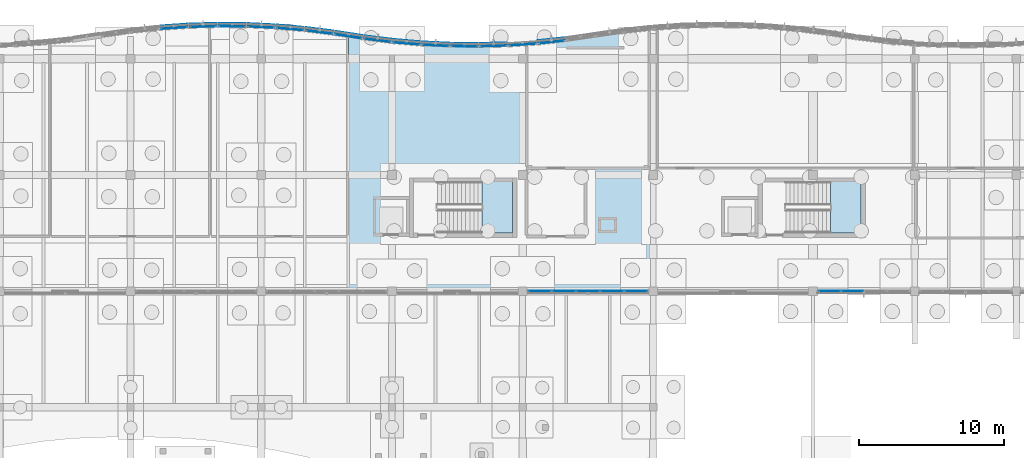
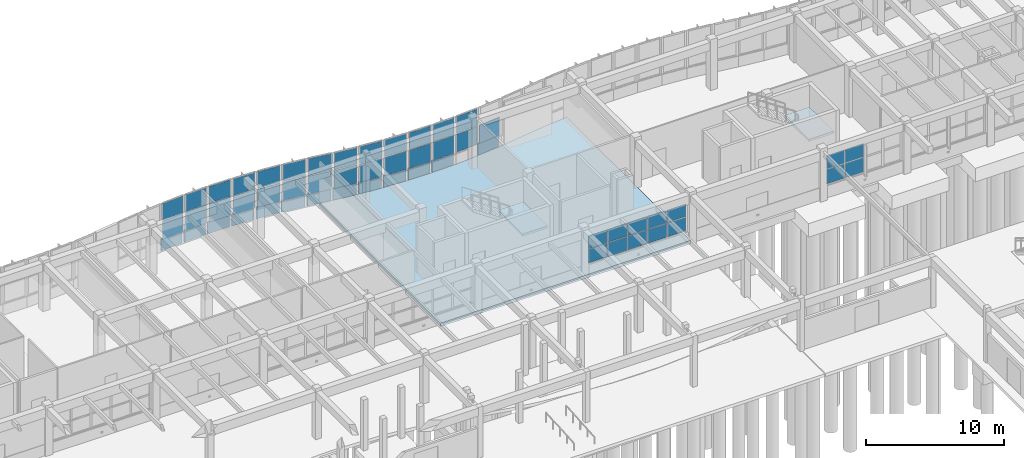
# One storey, part 56 of 99: 54 plates, 3 slabs, 18 elements without a shape of their own.
"""IFC4 building model written with IfcOpenShell, lengths in metres."""

from ifc_helpers import new_model, si_unit, direction, frame, origin, origin_2d, place, context, subcontext, project, spatial, polyline, rectangle, outline, extrude, material, layer, layer_set, type_object, element, aggregate, save


model = new_model("IFC4")

# Units and contexts
model_context = context("Model", 3, precision=1e-05, world=origin(), true_north=direction((0.0, 1.0)))
body_context = subcontext(model_context, "Body", "Model", "MODEL_VIEW")
ifc_project = project(units=[si_unit("LENGTHUNIT", "METRE"), si_unit("AREAUNIT", "SQUARE_METRE"), si_unit("VOLUMEUNIT", "CUBIC_METRE"), si_unit("PLANEANGLEUNIT", "RADIAN"), si_unit("MASSUNIT", "GRAM", prefix="KILO")], contexts=[model_context])

# Site, building, storey
site_placement = place(None, origin())
site = spatial("IfcSite", under=ifc_project, at=site_placement, CompositionType="ELEMENT")
building_placement = place(site_placement, origin())
building = spatial("IfcBuilding", under=site, at=building_placement, Name="Tonlespit Floodbar School", CompositionType="ELEMENT")
storey_placement = place(building_placement, origin())
storey = spatial("IfcBuildingStorey", under=building, at=storey_placement, Name="L00", CompositionType="ELEMENT", Elevation=0.0)

# Curtain wall, plates
ifc_material_1 = material(Name="Anodised Aluminium", Category="aluminium")
ifc_layer_1 = layer(ifc_material_1, 0.159912109375)
ifc_layer_set_1 = layer_set([ifc_layer_1], Name="Anodised Aluminium")
curtain_wall_type_1 = type_object("IfcCurtainWallType", Name="CurtainWall_1900x3300", PredefinedType="NOTDEFINED", material=ifc_layer_set_1)
curtain_wall_1_placement = place(storey_placement, origin())
curtain_wall_1 = element("IfcCurtainWall", 1, at=curtain_wall_1_placement, inside=storey, type_object=curtain_wall_type_1, Name="L00 unitised curtain wall 0021", PredefinedType="NOTDEFINED")
ifc_material_2 = material(Name="Laminated Low-E Glass", Category="glass")
ifc_layer_2 = layer(ifc_material_2, 0.028076171875)
ifc_layer_set_2 = layer_set([ifc_layer_2], Name="Laminated Low-E Glass")
plate_type_1 = type_object("IfcPlateType", Name="CW_Panel_Glaz_28", PredefinedType="CURTAIN_PANEL", material=ifc_layer_set_2)
plate_1_placement = place(storey_placement, frame((89.0, 122.1796875, 1.014892578125), z_axis=(0.0, 0.0, 1.0), x_axis=(0.998841500616, -0.048121270216, 0.0)))
plate_1 = element("IfcPlate", 2, at=plate_1_placement, type_object=plate_type_1, Name="CW-02 panel 1.1", PredefinedType="CURTAIN_PANEL", context=body_context, shape_type="SweptSolid", body=[
    extrude(rectangle(XDim=1.792236328125, YDim=0.028076171875, at=origin_2d()), origin(), (0.0, 0.0, 1.0), 1.61328125),
])
plate_2_placement = place(storey_placement, frame((89.0, 122.1796875, 2.693359375), z_axis=(0.0, 0.0, 1.0), x_axis=(0.998841500616, -0.048121270216, 0.0)))
plate_2 = element("IfcPlate", 3, at=plate_2_placement, type_object=plate_type_1, Name="CW-02 panel 1.2", PredefinedType="CURTAIN_PANEL", context=body_context, shape_type="SweptSolid", body=[
    extrude(rectangle(XDim=1.792236328125, YDim=0.028076171875, at=origin_2d()), origin(), (0.0, 0.0, 1.0), 1.481689453125),
])
aggregate(curtain_wall_1, [plate_1, plate_2])

ifc_layer_3 = layer(ifc_material_1, 0.159912109375)
ifc_layer_set_3 = layer_set([ifc_layer_3], Name="Anodised Aluminium")
curtain_wall_type_2 = type_object("IfcCurtainWallType", Name="CurtainWall_1950x3300", PredefinedType="NOTDEFINED", material=ifc_layer_set_3)
curtain_wall_2_placement = place(storey_placement, origin())
curtain_wall_2 = element("IfcCurtainWall", 4, at=curtain_wall_2_placement, inside=storey, type_object=curtain_wall_type_2, Name="L00 unitised curtain wall 0025", PredefinedType="NOTDEFINED")
plate_3_placement = place(storey_placement, frame((97.0, 121.268310546875, 1.014892578125), z_axis=(0.0, 0.0, 1.0), x_axis=(0.992155002499, -0.125013803299, 0.0)))
plate_3 = element("IfcPlate", 5, at=plate_3_placement, type_object=plate_type_1, Name="CW-01 panel 1.1", PredefinedType="CURTAIN_PANEL", context=body_context, shape_type="SweptSolid", body=[
    extrude(rectangle(XDim=1.805908203125, YDim=0.028076171875, at=origin_2d()), origin(), (0.0, 0.0, 1.0), 1.61328125),
])
plate_4_placement = place(storey_placement, frame((97.0, 121.268310546875, 2.693359375), z_axis=(0.0, 0.0, 1.0), x_axis=(0.992155002499, -0.125013803299, 0.0)))
plate_4 = element("IfcPlate", 6, at=plate_4_placement, type_object=plate_type_1, Name="CW-01 panel 1.2", PredefinedType="CURTAIN_PANEL", context=body_context, shape_type="SweptSolid", body=[
    extrude(rectangle(XDim=1.805908203125, YDim=0.028076171875, at=origin_2d()), origin(), (0.0, 0.0, 1.0), 1.481689453125),
])
aggregate(curtain_wall_2, [plate_3, plate_4])

curtain_wall_3_placement = place(storey_placement, origin())
curtain_wall_3 = element("IfcCurtainWall", 7, at=curtain_wall_3_placement, inside=storey, type_object=curtain_wall_type_1, Name="L00 unitised curtain wall 0029", PredefinedType="NOTDEFINED")
plate_5_placement = place(storey_placement, frame((105.0, 120.8818359375, 1.014892578125), z_axis=(0.0, 0.0, 1.0), x_axis=(0.999585477883, 0.028790144226, 0.0)))
plate_5 = element("IfcPlate", 8, at=plate_5_placement, type_object=plate_type_1, Name="CW-02 panel 1.1", PredefinedType="CURTAIN_PANEL", context=body_context, shape_type="SweptSolid", body=[
    extrude(rectangle(XDim=1.790771484375, YDim=0.028076171875, at=origin_2d()), origin(), (0.0, 0.0, 1.0), 1.61328125),
])
plate_6_placement = place(storey_placement, frame((105.0, 120.8818359375, 2.693359375), z_axis=(0.0, 0.0, 1.0), x_axis=(0.999585477883, 0.028790144226, 0.0)))
plate_6 = element("IfcPlate", 9, at=plate_6_placement, type_object=plate_type_1, Name="CW-02 panel 1.2", PredefinedType="CURTAIN_PANEL", context=body_context, shape_type="SweptSolid", body=[
    extrude(rectangle(XDim=1.790771484375, YDim=0.028076171875, at=origin_2d()), origin(), (0.0, 0.0, 1.0), 1.481689453125),
])
aggregate(curtain_wall_3, [plate_5, plate_6])

ifc_layer_4 = layer(ifc_material_1, 0.159912109375)
ifc_layer_set_4 = layer_set([ifc_layer_4], Name="Anodised Aluminium")
curtain_wall_type_3 = type_object("IfcCurtainWallType", Name="CurtainWall_6300x2650", PredefinedType="NOTDEFINED", material=ifc_layer_set_4)
curtain_wall_4_placement = place(storey_placement, origin())
curtain_wall_4 = element("IfcCurtainWall", 10, at=curtain_wall_4_placement, inside=storey, type_object=curtain_wall_type_3, Name="L00 unitised curtain wall 0373", PredefinedType="NOTDEFINED")
plate_7_placement = place(storey_placement, frame((129.7099609375, 104.0, 1.014892578125), z_axis=(0.0, 0.0, 1.0), x_axis=(-1.0, 0.0, 0.0)))
plate_7 = element("IfcPlate", 11, at=plate_7_placement, type_object=plate_type_1, Name="CW-59 panel 3.1", PredefinedType="CURTAIN_PANEL", context=body_context, shape_type="SweptSolid", body=[
    extrude(rectangle(XDim=1.514892578125, YDim=0.028076171875, at=origin_2d()), origin(), (0.0, 0.0, 1.0), 1.275390625),
])
plate_8_placement = place(storey_placement, frame((129.7099609375, 104.0, 2.35546875), z_axis=(0.0, 0.0, 1.0), x_axis=(-1.0, 0.0, 0.0)))
plate_8 = element("IfcPlate", 12, at=plate_8_placement, type_object=plate_type_1, Name="CW-59 panel 3.2", PredefinedType="CURTAIN_PANEL", context=body_context, shape_type="SweptSolid", body=[
    extrude(rectangle(XDim=1.514892578125, YDim=0.028076171875, at=origin_2d()), origin(), (0.0, 0.0, 1.0), 1.169677734375),
])
plate_9_placement = place(storey_placement, frame((128.146240234375, 104.0, 1.014892578125), z_axis=(0.0, 0.0, 1.0), x_axis=(-1.0, 0.0, 0.0)))
plate_9 = element("IfcPlate", 13, at=plate_9_placement, type_object=plate_type_1, Name="CW-59 panel 4.1", PredefinedType="CURTAIN_PANEL", context=body_context, shape_type="SweptSolid", body=[
    extrude(rectangle(XDim=1.482421875, YDim=0.028076171875, at=origin_2d()), origin(), (0.0, 0.0, 1.0), 1.275390625),
])
plate_10_placement = place(storey_placement, frame((128.146240234375, 104.0, 2.35546875), z_axis=(0.0, 0.0, 1.0), x_axis=(-1.0, 0.0, 0.0)))
plate_10 = element("IfcPlate", 14, at=plate_10_placement, type_object=plate_type_1, Name="CW-59 panel 4.2", PredefinedType="CURTAIN_PANEL", context=body_context, shape_type="SweptSolid", body=[
    extrude(rectangle(XDim=1.482421875, YDim=0.028076171875, at=origin_2d()), origin(), (0.0, 0.0, 1.0), 1.169677734375),
])
aggregate(curtain_wall_4, [plate_7, plate_8, plate_9, plate_10])

curtain_wall_5_placement = place(storey_placement, origin())
curtain_wall_5 = element("IfcCurtainWall", 15, at=curtain_wall_5_placement, inside=storey, type_object=curtain_wall_type_1, Name="L00 unitised curtain wall 0018", PredefinedType="NOTDEFINED")
ifc_layer_5 = layer(ifc_material_2, 0.031982421875)
ifc_layer_set_5 = layer_set([ifc_layer_5], Name="Laminated Low-E Glass")
plate_type_2 = type_object("IfcPlateType", Name="CW_Panel_Glaz_32", PredefinedType="CURTAIN_PANEL", material=ifc_layer_set_5)
plate_11_placement = place(storey_placement, frame((83.0, 122.121826171875, 1.014892578125), z_axis=(0.0, 0.0, 1.0), x_axis=(0.99773010165, 0.067339767311, 0.0)))
plate_11 = element("IfcPlate", 16, at=plate_11_placement, type_object=plate_type_2, Name="CW-02 panel 1.1", PredefinedType="CURTAIN_PANEL", context=body_context, shape_type="SweptSolid", body=[
    extrude(rectangle(XDim=1.794677734375, YDim=0.031982421875, at=origin_2d()), origin(), (0.0, 0.0, 1.0), 1.61328125),
])
plate_12_placement = place(storey_placement, frame((83.0, 122.121826171875, 2.693359375), z_axis=(0.0, 0.0, 1.0), x_axis=(0.99773010165, 0.067339767311, 0.0)))
plate_12 = element("IfcPlate", 17, at=plate_12_placement, type_object=plate_type_2, Name="CW-02 panel 1.2", PredefinedType="CURTAIN_PANEL", context=body_context, shape_type="SweptSolid", body=[
    extrude(rectangle(XDim=1.794677734375, YDim=0.031982421875, at=origin_2d()), origin(), (0.0, 0.0, 1.0), 1.481689453125),
])
aggregate(curtain_wall_5, [plate_11, plate_12])

curtain_wall_6_placement = place(storey_placement, origin())
curtain_wall_6 = element("IfcCurtainWall", 18, at=curtain_wall_6_placement, inside=storey, type_object=curtain_wall_type_2, Name="L00 unitised curtain wall 0022", PredefinedType="NOTDEFINED")
plate_13_placement = place(storey_placement, frame((91.0, 122.044677734375, 1.014892578125), z_axis=(0.0, 0.0, 1.0), x_axis=(0.996249148412, -0.086531117454, 0.0)))
plate_13 = element("IfcPlate", 19, at=plate_13_placement, type_object=plate_type_2, Name="CW-01 panel 1.1", PredefinedType="CURTAIN_PANEL", context=body_context, shape_type="SweptSolid", body=[
    extrude(rectangle(XDim=1.797607421875, YDim=0.031982421875, at=origin_2d()), origin(), (0.0, 0.0, 1.0), 1.61328125),
])
plate_14_placement = place(storey_placement, frame((91.0, 122.044677734375, 2.693359375), z_axis=(0.0, 0.0, 1.0), x_axis=(0.996249148412, -0.086531117454, 0.0)))
plate_14 = element("IfcPlate", 20, at=plate_14_placement, type_object=plate_type_2, Name="CW-01 panel 1.2", PredefinedType="CURTAIN_PANEL", context=body_context, shape_type="SweptSolid", body=[
    extrude(rectangle(XDim=1.797607421875, YDim=0.031982421875, at=origin_2d()), origin(), (0.0, 0.0, 1.0), 1.481689453125),
])
aggregate(curtain_wall_6, [plate_13, plate_14])

curtain_wall_7_placement = place(storey_placement, origin())
curtain_wall_7 = element("IfcCurtainWall", 21, at=curtain_wall_7_placement, inside=storey, type_object=curtain_wall_type_2, Name="L00 unitised curtain wall 0026", PredefinedType="NOTDEFINED")
plate_15_placement = place(storey_placement, frame((99.0, 121.055419921875, 1.014892578125), z_axis=(0.0, 0.0, 1.0), x_axis=(0.996249148412, -0.086531117454, 0.0)))
plate_15 = element("IfcPlate", 22, at=plate_15_placement, type_object=plate_type_2, Name="CW-01 panel 1.1", PredefinedType="CURTAIN_PANEL", context=body_context, shape_type="SweptSolid", body=[
    extrude(rectangle(XDim=1.797607421875, YDim=0.031982421875, at=origin_2d()), origin(), (0.0, 0.0, 1.0), 1.61328125),
])
plate_16_placement = place(storey_placement, frame((99.0, 121.055419921875, 2.693359375), z_axis=(0.0, 0.0, 1.0), x_axis=(0.996249148412, -0.086531117454, 0.0)))
plate_16 = element("IfcPlate", 23, at=plate_16_placement, type_object=plate_type_2, Name="CW-01 panel 1.2", PredefinedType="CURTAIN_PANEL", context=body_context, shape_type="SweptSolid", body=[
    extrude(rectangle(XDim=1.797607421875, YDim=0.031982421875, at=origin_2d()), origin(), (0.0, 0.0, 1.0), 1.481689453125),
])
aggregate(curtain_wall_7, [plate_15, plate_16])

curtain_wall_8_placement = place(storey_placement, origin())
curtain_wall_8 = element("IfcCurtainWall", 24, at=curtain_wall_8_placement, inside=storey, type_object=curtain_wall_type_1, Name="L00 unitised curtain wall 0030", PredefinedType="NOTDEFINED")
plate_17_placement = place(storey_placement, frame((107.0, 120.978271484375, 1.014892578125), z_axis=(0.0, 0.0, 1.0), x_axis=(0.99773010165, 0.067339767311, 0.0)))
plate_17 = element("IfcPlate", 25, at=plate_17_placement, type_object=plate_type_2, Name="CW-02 panel 1.1", PredefinedType="CURTAIN_PANEL", context=body_context, shape_type="SweptSolid", body=[
    extrude(rectangle(XDim=1.794677734375, YDim=0.031982421875, at=origin_2d()), origin(), (0.0, 0.0, 1.0), 1.61328125),
])
plate_18_placement = place(storey_placement, frame((107.0, 120.978271484375, 2.693359375), z_axis=(0.0, 0.0, 1.0), x_axis=(0.99773010165, 0.067339767311, 0.0)))
plate_18 = element("IfcPlate", 26, at=plate_18_placement, type_object=plate_type_2, Name="CW-02 panel 1.2", PredefinedType="CURTAIN_PANEL", context=body_context, shape_type="SweptSolid", body=[
    extrude(rectangle(XDim=1.794677734375, YDim=0.031982421875, at=origin_2d()), origin(), (0.0, 0.0, 1.0), 1.481689453125),
])
aggregate(curtain_wall_8, [plate_17, plate_18])

curtain_wall_9_placement = place(storey_placement, origin())
curtain_wall_9 = element("IfcCurtainWall", 27, at=curtain_wall_9_placement, inside=storey, type_object=curtain_wall_type_1, Name="L00 unitised curtain wall 0019", PredefinedType="NOTDEFINED")
ifc_layer_6 = layer(ifc_material_2, 0.035888671875)
ifc_layer_set_6 = layer_set([ifc_layer_6], Name="Laminated Low-E Glass")
plate_type_3 = type_object("IfcPlateType", Name="CW_Panel_Glaz_36", PredefinedType="CURTAIN_PANEL", material=ifc_layer_set_6)
plate_19_placement = place(storey_placement, frame((85.0, 122.21826171875, 1.014892578125), z_axis=(0.0, 0.0, 1.0), x_axis=(0.999585477883, 0.028790144226, 0.0)))
plate_19 = element("IfcPlate", 28, at=plate_19_placement, type_object=plate_type_3, Name="CW-02 panel 1.1", PredefinedType="CURTAIN_PANEL", context=body_context, shape_type="SweptSolid", body=[
    extrude(rectangle(XDim=1.790771484375, YDim=0.035888671875, at=origin_2d()), origin(), (0.0, 0.0, 1.0), 1.61328125),
])
plate_20_placement = place(storey_placement, frame((85.0, 122.21826171875, 2.693359375), z_axis=(0.0, 0.0, 1.0), x_axis=(0.999585477883, 0.028790144226, 0.0)))
plate_20 = element("IfcPlate", 29, at=plate_20_placement, type_object=plate_type_3, Name="CW-02 panel 1.2", PredefinedType="CURTAIN_PANEL", context=body_context, shape_type="SweptSolid", body=[
    extrude(rectangle(XDim=1.790771484375, YDim=0.035888671875, at=origin_2d()), origin(), (0.0, 0.0, 1.0), 1.481689453125),
])
aggregate(curtain_wall_9, [plate_19, plate_20])

curtain_wall_10_placement = place(storey_placement, origin())
curtain_wall_10 = element("IfcCurtainWall", 30, at=curtain_wall_10_placement, inside=storey, type_object=curtain_wall_type_2, Name="L00 unitised curtain wall 0023", PredefinedType="NOTDEFINED")
plate_21_placement = place(storey_placement, frame((93.0, 121.831787109375, 1.014892578125), z_axis=(0.0, 0.0, 1.0), x_axis=(0.992155002499, -0.125013803299, 0.0)))
plate_21 = element("IfcPlate", 31, at=plate_21_placement, type_object=plate_type_3, Name="CW-01 panel 1.1", PredefinedType="CURTAIN_PANEL", context=body_context, shape_type="SweptSolid", body=[
    extrude(rectangle(XDim=1.805908203125, YDim=0.035888671875, at=origin_2d()), origin(), (0.0, 0.0, 1.0), 1.61328125),
])
plate_22_placement = place(storey_placement, frame((93.0, 121.831787109375, 2.693359375), z_axis=(0.0, 0.0, 1.0), x_axis=(0.992155002499, -0.125013803299, 0.0)))
plate_22 = element("IfcPlate", 32, at=plate_22_placement, type_object=plate_type_3, Name="CW-01 panel 1.2", PredefinedType="CURTAIN_PANEL", context=body_context, shape_type="SweptSolid", body=[
    extrude(rectangle(XDim=1.805908203125, YDim=0.035888671875, at=origin_2d()), origin(), (0.0, 0.0, 1.0), 1.481689453125),
])
aggregate(curtain_wall_10, [plate_21, plate_22])

curtain_wall_11_placement = place(storey_placement, origin())
curtain_wall_11 = element("IfcCurtainWall", 33, at=curtain_wall_11_placement, inside=storey, type_object=curtain_wall_type_1, Name="L00 unitised curtain wall 0027", PredefinedType="NOTDEFINED")
plate_23_placement = place(storey_placement, frame((101.0, 120.92041015625, 1.014892578125), z_axis=(0.0, 0.0, 1.0), x_axis=(0.998841500616, -0.048121270216, 0.0)))
plate_23 = element("IfcPlate", 34, at=plate_23_placement, type_object=plate_type_3, Name="CW-02 panel 1.1", PredefinedType="CURTAIN_PANEL", context=body_context, shape_type="SweptSolid", body=[
    extrude(rectangle(XDim=1.792236328125, YDim=0.035888671875, at=origin_2d()), origin(), (0.0, 0.0, 1.0), 1.61328125),
])
plate_24_placement = place(storey_placement, frame((101.0, 120.92041015625, 2.693359375), z_axis=(0.0, 0.0, 1.0), x_axis=(0.998841500616, -0.048121270216, 0.0)))
plate_24 = element("IfcPlate", 35, at=plate_24_placement, type_object=plate_type_3, Name="CW-02 panel 1.2", PredefinedType="CURTAIN_PANEL", context=body_context, shape_type="SweptSolid", body=[
    extrude(rectangle(XDim=1.792236328125, YDim=0.035888671875, at=origin_2d()), origin(), (0.0, 0.0, 1.0), 1.481689453125),
])
aggregate(curtain_wall_11, [plate_23, plate_24])

# Curtain wall, plate
curtain_wall_12_placement = place(storey_placement, origin())
curtain_wall_12 = element("IfcCurtainWall", 36, at=curtain_wall_12_placement, inside=storey, type_object=curtain_wall_type_2, Name="L00 unitised curtain wall 0031", PredefinedType="NOTDEFINED")
plate_25_placement = place(storey_placement, frame((109.0, 121.152099609375, 1.014892578125), z_axis=(0.0, 0.0, 1.0), x_axis=(0.994388797288, 0.105787143968, 0.0)))
plate_25 = element("IfcPlate", 37, at=plate_25_placement, type_object=plate_type_3, Name="CW-01 panel 1.1", PredefinedType="CURTAIN_PANEL", context=body_context, shape_type="SweptSolid", body=[
    extrude(rectangle(XDim=1.80126953125, YDim=0.035888671875, at=origin_2d()), origin(), (0.0, 0.0, 1.0), 1.61328125),
])
aggregate(curtain_wall_12, [plate_25])

# Curtain wall, plates
ifc_layer_7 = layer(ifc_material_1, 0.159912109375)
ifc_layer_set_7 = layer_set([ifc_layer_7], Name="Anodised Aluminium")
curtain_wall_type_4 = type_object("IfcCurtainWallType", Name="CurtainWall_8300x2500", PredefinedType="NOTDEFINED", material=ifc_layer_set_7)
curtain_wall_13_placement = place(storey_placement, origin())
curtain_wall_13 = element("IfcCurtainWall", 38, at=curtain_wall_13_placement, inside=storey, type_object=curtain_wall_type_4, Name="L00 unitised curtain wall 0035", PredefinedType="NOTDEFINED")
plate_26_placement = place(storey_placement, frame((114.811767578125, 104.0, 1.01513671875), z_axis=(0.0, 0.0, 1.0), x_axis=(-1.0, 0.0, 0.0)))
plate_26 = element("IfcPlate", 39, at=plate_26_placement, type_object=plate_type_3, Name="CW-03 panel 1.1", PredefinedType="CURTAIN_PANEL", context=body_context, shape_type="SweptSolid", body=[
    extrude(rectangle(XDim=1.56640625, YDim=0.035888671875, at=origin_2d()), origin(), (0.0, 0.0, 1.0), 1.197265625),
])
plate_27_placement = place(storey_placement, frame((114.811767578125, 104.0, 2.27734375), z_axis=(0.0, 0.0, 1.0), x_axis=(-1.0, 0.0, 0.0)))
plate_27 = element("IfcPlate", 40, at=plate_27_placement, type_object=plate_type_3, Name="CW-03 panel 1.2", PredefinedType="CURTAIN_PANEL", context=body_context, shape_type="SweptSolid", body=[
    extrude(rectangle(XDim=1.56640625, YDim=0.035888671875, at=origin_2d()), origin(), (0.0, 0.0, 1.0), 1.09765625),
])
plate_28_placement = place(storey_placement, frame((113.1640625, 104.0, 1.01513671875), z_axis=(0.0, 0.0, 1.0), x_axis=(-1.0, 0.0, 0.0)))
plate_28 = element("IfcPlate", 41, at=plate_28_placement, type_object=plate_type_3, Name="CW-03 panel 2.1", PredefinedType="CURTAIN_PANEL", context=body_context, shape_type="SweptSolid", body=[
    extrude(rectangle(XDim=1.59912109375, YDim=0.035888671875, at=origin_2d()), origin(), (0.0, 0.0, 1.0), 1.197265625),
])
plate_29_placement = place(storey_placement, frame((113.1640625, 104.0, 2.27734375), z_axis=(0.0, 0.0, 1.0), x_axis=(-1.0, 0.0, 0.0)))
plate_29 = element("IfcPlate", 42, at=plate_29_placement, type_object=plate_type_3, Name="CW-03 panel 2.2", PredefinedType="CURTAIN_PANEL", context=body_context, shape_type="SweptSolid", body=[
    extrude(rectangle(XDim=1.59912109375, YDim=0.035888671875, at=origin_2d()), origin(), (0.0, 0.0, 1.0), 1.09765625),
])
plate_30_placement = place(storey_placement, frame((111.5, 104.0, 1.01513671875), z_axis=(0.0, 0.0, 1.0), x_axis=(-1.0, 0.0, 0.0)))
plate_30 = element("IfcPlate", 43, at=plate_30_placement, type_object=plate_type_3, Name="CW-03 panel 3.1", PredefinedType="CURTAIN_PANEL", context=body_context, shape_type="SweptSolid", body=[
    extrude(rectangle(XDim=1.59912109375, YDim=0.035888671875, at=origin_2d()), origin(), (0.0, 0.0, 1.0), 1.197265625),
])
plate_31_placement = place(storey_placement, frame((111.5, 104.0, 2.27734375), z_axis=(0.0, 0.0, 1.0), x_axis=(-1.0, 0.0, 0.0)))
plate_31 = element("IfcPlate", 44, at=plate_31_placement, type_object=plate_type_3, Name="CW-03 panel 3.2", PredefinedType="CURTAIN_PANEL", context=body_context, shape_type="SweptSolid", body=[
    extrude(rectangle(XDim=1.59912109375, YDim=0.035888671875, at=origin_2d()), origin(), (0.0, 0.0, 1.0), 1.09765625),
])
plate_32_placement = place(storey_placement, frame((109.8359375, 104.0, 1.01513671875), z_axis=(0.0, 0.0, 1.0), x_axis=(-1.0, 0.0, 0.0)))
plate_32 = element("IfcPlate", 45, at=plate_32_placement, type_object=plate_type_3, Name="CW-03 panel 4.1", PredefinedType="CURTAIN_PANEL", context=body_context, shape_type="SweptSolid", body=[
    extrude(rectangle(XDim=1.59912109375, YDim=0.035888671875, at=origin_2d()), origin(), (0.0, 0.0, 1.0), 1.197265625),
])
plate_33_placement = place(storey_placement, frame((109.8359375, 104.0, 2.27734375), z_axis=(0.0, 0.0, 1.0), x_axis=(-1.0, 0.0, 0.0)))
plate_33 = element("IfcPlate", 46, at=plate_33_placement, type_object=plate_type_3, Name="CW-03 panel 4.2", PredefinedType="CURTAIN_PANEL", context=body_context, shape_type="SweptSolid", body=[
    extrude(rectangle(XDim=1.59912109375, YDim=0.035888671875, at=origin_2d()), origin(), (0.0, 0.0, 1.0), 1.09765625),
])
plate_34_placement = place(storey_placement, frame((108.188232421875, 104.0, 1.01513671875), z_axis=(0.0, 0.0, 1.0), x_axis=(-1.0, 0.0, 0.0)))
plate_34 = element("IfcPlate", 47, at=plate_34_placement, type_object=plate_type_3, Name="CW-03 panel 5.1", PredefinedType="CURTAIN_PANEL", context=body_context, shape_type="SweptSolid", body=[
    extrude(rectangle(XDim=1.56640625, YDim=0.035888671875, at=origin_2d()), origin(), (0.0, 0.0, 1.0), 1.197265625),
])
plate_35_placement = place(storey_placement, frame((108.188232421875, 104.0, 2.27734375), z_axis=(0.0, 0.0, 1.0), x_axis=(-1.0, 0.0, 0.0)))
plate_35 = element("IfcPlate", 48, at=plate_35_placement, type_object=plate_type_3, Name="CW-03 panel 5.2", PredefinedType="CURTAIN_PANEL", context=body_context, shape_type="SweptSolid", body=[
    extrude(rectangle(XDim=1.56640625, YDim=0.035888671875, at=origin_2d()), origin(), (0.0, 0.0, 1.0), 1.09765625),
])
aggregate(curtain_wall_13, [plate_26, plate_27, plate_28, plate_29, plate_30, plate_31, plate_32, plate_33, plate_34, plate_35])

curtain_wall_14_placement = place(storey_placement, origin())
curtain_wall_14 = element("IfcCurtainWall", 49, at=curtain_wall_14_placement, inside=storey, type_object=curtain_wall_type_1, Name="L00 unitised curtain wall 0020", PredefinedType="NOTDEFINED")
ifc_layer_8 = layer(ifc_material_2, 0.0419921875)
ifc_layer_set_8 = layer_set([ifc_layer_8], Name="Laminated Low-E Glass")
plate_type_4 = type_object("IfcPlateType", Name="CW_Panel_Glaz_42", PredefinedType="CURTAIN_PANEL", material=ifc_layer_set_8)
plate_36_placement = place(storey_placement, frame((87.0, 122.2373046875, 1.014892578125), z_axis=(0.0, 0.0, 1.0), x_axis=(0.999954083024, -0.009582893292, 0.0)))
plate_36 = element("IfcPlate", 50, at=plate_36_placement, type_object=plate_type_4, Name="CW-02 panel 1.1", PredefinedType="CURTAIN_PANEL", context=body_context, shape_type="SweptSolid", body=[
    extrude(rectangle(XDim=1.7900390625, YDim=0.0419921875, at=origin_2d()), origin(), (0.0, 0.0, 1.0), 1.61328125),
])
plate_37_placement = place(storey_placement, frame((87.0, 122.2373046875, 2.693359375), z_axis=(0.0, 0.0, 1.0), x_axis=(0.999954083024, -0.009582893292, 0.0)))
plate_37 = element("IfcPlate", 51, at=plate_37_placement, type_object=plate_type_4, Name="CW-02 panel 1.2", PredefinedType="CURTAIN_PANEL", context=body_context, shape_type="SweptSolid", body=[
    extrude(rectangle(XDim=1.7900390625, YDim=0.0419921875, at=origin_2d()), origin(), (0.0, 0.0, 1.0), 1.481689453125),
])
aggregate(curtain_wall_14, [plate_36, plate_37])

curtain_wall_15_placement = place(storey_placement, origin())
curtain_wall_15 = element("IfcCurtainWall", 52, at=curtain_wall_15_placement, inside=storey, type_object=curtain_wall_type_2, Name="L00 unitised curtain wall 0024", PredefinedType="NOTDEFINED")
plate_38_placement = place(storey_placement, frame((95.0, 121.550048828125, 1.014892578125), z_axis=(0.0, 0.0, 1.0), x_axis=(0.988102576465, -0.153796288585, 0.0)))
plate_38 = element("IfcPlate", 53, at=plate_38_placement, type_object=plate_type_4, Name="CW-01 panel 1.1", PredefinedType="CURTAIN_PANEL", context=body_context, shape_type="SweptSolid", body=[
    extrude(rectangle(XDim=1.814208984375, YDim=0.0419921875, at=origin_2d()), origin(), (0.0, 0.0, 1.0), 1.61328125),
])
plate_39_placement = place(storey_placement, frame((95.0, 121.550048828125, 2.693359375), z_axis=(0.0, 0.0, 1.0), x_axis=(0.988102576465, -0.153796288585, 0.0)))
plate_39 = element("IfcPlate", 54, at=plate_39_placement, type_object=plate_type_4, Name="CW-01 panel 1.2", PredefinedType="CURTAIN_PANEL", context=body_context, shape_type="SweptSolid", body=[
    extrude(rectangle(XDim=1.814208984375, YDim=0.0419921875, at=origin_2d()), origin(), (0.0, 0.0, 1.0), 1.481689453125),
])
aggregate(curtain_wall_15, [plate_38, plate_39])

curtain_wall_16_placement = place(storey_placement, origin())
curtain_wall_16 = element("IfcCurtainWall", 55, at=curtain_wall_16_placement, inside=storey, type_object=curtain_wall_type_1, Name="L00 unitised curtain wall 0028", PredefinedType="NOTDEFINED")
plate_40_placement = place(storey_placement, frame((103.0, 120.862548828125, 1.014892578125), z_axis=(0.0, 0.0, 1.0), x_axis=(0.999954083024, -0.009582893292, 0.0)))
plate_40 = element("IfcPlate", 56, at=plate_40_placement, type_object=plate_type_4, Name="CW-02 panel 1.1", PredefinedType="CURTAIN_PANEL", context=body_context, shape_type="SweptSolid", body=[
    extrude(rectangle(XDim=1.7900390625, YDim=0.0419921875, at=origin_2d()), origin(), (0.0, 0.0, 1.0), 1.61328125),
])
plate_41_placement = place(storey_placement, frame((103.0, 120.862548828125, 2.693359375), z_axis=(0.0, 0.0, 1.0), x_axis=(0.999954083024, -0.009582893292, 0.0)))
plate_41 = element("IfcPlate", 57, at=plate_41_placement, type_object=plate_type_4, Name="CW-02 panel 1.2", PredefinedType="CURTAIN_PANEL", context=body_context, shape_type="SweptSolid", body=[
    extrude(rectangle(XDim=1.7900390625, YDim=0.0419921875, at=origin_2d()), origin(), (0.0, 0.0, 1.0), 1.481689453125),
])
aggregate(curtain_wall_16, [plate_40, plate_41])

# Plates
ifc_material_3 = material(Name="White Architectural Aluminium", Category="aluminium")
ifc_layer_9 = layer(ifc_material_3, 0.06494140625)
ifc_layer_set_9 = layer_set([ifc_layer_9], Name="White Architectural Aluminium")
plate_type_5 = type_object("IfcPlateType", Name="FacadeRibbon_White_65", PredefinedType="SHEET", material=ifc_layer_set_9)
plate_42_placement = place(storey_placement, frame((82.98779296875, 122.303466796875, -0.1201171875), z_axis=(0.0, 0.0, 1.0), x_axis=(0.997729639049, 0.067346621018, 0.0)))
element("IfcPlate", 58, at=plate_42_placement, inside=storey, type_object=plate_type_5, Name="L00 flowing white street spandrel ribbon 0020", PredefinedType="SHEET", context=body_context, shape_type="SweptSolid", body=[
    extrude(rectangle(XDim=1.844482421875, YDim=0.06494140625, at=origin_2d()), origin(), (0.0, 0.0, 1.0), 1.070068359375),
])
plate_43_placement = place(storey_placement, frame((84.994873046875, 122.400146484375, -0.1201171875), z_axis=(0.0, 0.0, 1.0), x_axis=(0.999584110869, 0.02883756748, 0.0)))
element("IfcPlate", 59, at=plate_43_placement, inside=storey, type_object=plate_type_5, Name="L00 flowing white street spandrel ribbon 0021", PredefinedType="SHEET", context=body_context, shape_type="SweptSolid", body=[
    extrude(rectangle(XDim=1.8408203125, YDim=0.06494140625, at=origin_2d()), origin(), (0.0, 0.0, 1.0), 1.070068359375),
])
plate_44_placement = place(storey_placement, frame((87.001708984375, 122.41943359375, -0.1201171875), z_axis=(0.0, 0.0, 1.0), x_axis=(0.999953926969, -0.009599163462, 0.0)))
element("IfcPlate", 60, at=plate_44_placement, inside=storey, type_object=plate_type_5, Name="L00 flowing white street spandrel ribbon 0022", PredefinedType="SHEET", context=body_context, shape_type="SweptSolid", body=[
    extrude(rectangle(XDim=1.840087890625, YDim=0.06494140625, at=origin_2d()), origin(), (0.0, 0.0, 1.0), 1.070068359375),
])
plate_45_placement = place(storey_placement, frame((89.0087890625, 122.361328125, -0.1201171875), z_axis=(0.0, 0.0, 1.0), x_axis=(0.998842769234, -0.048094930587, 0.0)))
element("IfcPlate", 61, at=plate_45_placement, inside=storey, type_object=plate_type_5, Name="L00 flowing white street spandrel ribbon 0023", PredefinedType="SHEET", context=body_context, shape_type="SweptSolid", body=[
    extrude(rectangle(XDim=1.84228515625, YDim=0.06494140625, at=origin_2d()), origin(), (0.0, 0.0, 1.0), 1.070068359375),
])
plate_46_placement = place(storey_placement, frame((91.015869140625, 122.225830078125, -0.1201171875), z_axis=(0.0, 0.0, 1.0), x_axis=(0.996245486492, -0.086573267488, 0.0)))
element("IfcPlate", 62, at=plate_46_placement, inside=storey, type_object=plate_type_5, Name="L00 flowing white street spandrel ribbon 0024", PredefinedType="SHEET", context=body_context, shape_type="SweptSolid", body=[
    extrude(rectangle(XDim=1.847412109375, YDim=0.06494140625, at=origin_2d()), origin(), (0.0, 0.0, 1.0), 1.070068359375),
])
plate_47_placement = place(storey_placement, frame((93.022705078125, 122.01220703125, -0.1201171875), z_axis=(0.0, 0.0, 1.0), x_axis=(0.99215533612, -0.125011155539, 0.0)))
element("IfcPlate", 63, at=plate_47_placement, inside=storey, type_object=plate_type_5, Name="L00 flowing white street spandrel ribbon 0025", PredefinedType="SHEET", context=body_context, shape_type="SweptSolid", body=[
    extrude(rectangle(XDim=1.855712890625, YDim=0.06494140625, at=origin_2d()), origin(), (0.0, 0.0, 1.0), 1.070068359375),
])
plate_48_placement = place(storey_placement, frame((95.028076171875, 121.729736328125, -0.1201171875), z_axis=(0.0, 0.0, 1.0), x_axis=(0.988094768361, -0.153846445322, 0.0)))
element("IfcPlate", 64, at=plate_48_placement, inside=storey, type_object=plate_type_5, Name="L00 flowing white street spandrel ribbon 0026", PredefinedType="SHEET", context=body_context, shape_type="SweptSolid", body=[
    extrude(rectangle(XDim=1.864013671875, YDim=0.06494140625, at=origin_2d()), origin(), (0.0, 0.0, 1.0), 1.070068359375),
])
plate_49_placement = place(storey_placement, frame((97.022705078125, 121.448974609375, -0.1201171875), z_axis=(0.0, 0.0, 1.0), x_axis=(0.99215533612, -0.125011155539, 0.0)))
element("IfcPlate", 65, at=plate_49_placement, inside=storey, type_object=plate_type_5, Name="L00 flowing white street spandrel ribbon 0027", PredefinedType="SHEET", context=body_context, shape_type="SweptSolid", body=[
    extrude(rectangle(XDim=1.855712890625, YDim=0.06494140625, at=origin_2d()), origin(), (0.0, 0.0, 1.0), 1.070068359375),
])
plate_50_placement = place(storey_placement, frame((99.015869140625, 121.23681640625, -0.1201171875), z_axis=(0.0, 0.0, 1.0), x_axis=(0.996245486492, -0.086573267488, 0.0)))
element("IfcPlate", 66, at=plate_50_placement, inside=storey, type_object=plate_type_5, Name="L00 flowing white street spandrel ribbon 0028", PredefinedType="SHEET", context=body_context, shape_type="SweptSolid", body=[
    extrude(rectangle(XDim=1.847412109375, YDim=0.06494140625, at=origin_2d()), origin(), (0.0, 0.0, 1.0), 1.070068359375),
])
plate_51_placement = place(storey_placement, frame((101.0087890625, 121.10205078125, -0.1201171875), z_axis=(0.0, 0.0, 1.0), x_axis=(0.998842769234, -0.048094930587, 0.0)))
element("IfcPlate", 67, at=plate_51_placement, inside=storey, type_object=plate_type_5, Name="L00 flowing white street spandrel ribbon 0029", PredefinedType="SHEET", context=body_context, shape_type="SweptSolid", body=[
    extrude(rectangle(XDim=1.84228515625, YDim=0.06494140625, at=origin_2d()), origin(), (0.0, 0.0, 1.0), 1.070068359375),
])
plate_52_placement = place(storey_placement, frame((103.001708984375, 121.044677734375, -0.1201171875), z_axis=(0.0, 0.0, 1.0), x_axis=(0.999953926969, -0.009599163462, 0.0)))
element("IfcPlate", 68, at=plate_52_placement, inside=storey, type_object=plate_type_5, Name="L00 flowing white street spandrel ribbon 0030", PredefinedType="SHEET", context=body_context, shape_type="SweptSolid", body=[
    extrude(rectangle(XDim=1.840087890625, YDim=0.06494140625, at=origin_2d()), origin(), (0.0, 0.0, 1.0), 1.070068359375),
])
plate_53_placement = place(storey_placement, frame((104.994873046875, 121.063720703125, -0.1201171875), z_axis=(0.0, 0.0, 1.0), x_axis=(0.999584110869, 0.02883756748, 0.0)))
element("IfcPlate", 69, at=plate_53_placement, inside=storey, type_object=plate_type_5, Name="L00 flowing white street spandrel ribbon 0031", PredefinedType="SHEET", context=body_context, shape_type="SweptSolid", body=[
    extrude(rectangle(XDim=1.8408203125, YDim=0.06494140625, at=origin_2d()), origin(), (0.0, 0.0, 1.0), 1.070068359375),
])
plate_54_placement = place(storey_placement, frame((108.980712890625, 121.3330078125, -0.1201171875), z_axis=(0.0, 0.0, 1.0), x_axis=(0.99439234017, 0.105753835922, 0.0)))
element("IfcPlate", 70, at=plate_54_placement, inside=storey, type_object=plate_type_5, Name="L00 flowing white street spandrel ribbon 0033", PredefinedType="SHEET", context=body_context, shape_type="SweptSolid", body=[
    extrude(rectangle(XDim=1.851318359375, YDim=0.06494140625, at=origin_2d()), origin(), (0.0, 0.0, 1.0), 1.070068359375),
])

# Stair, slab
ifc_material_4 = material(Name="Concrete C40/50", Category="concrete")
stair_type = type_object("IfcStairType", Name="Stair_Core_L00", PredefinedType="HALF_TURN_STAIR", material=ifc_material_4)
stair_1_placement = place(storey_placement, origin())
stair_1 = element("IfcStair", 71, at=stair_1_placement, inside=storey, type_object=stair_type, Name="L00 Core C2 escape stair", PredefinedType="HALF_TURN_STAIR")
ifc_layer_10 = layer(ifc_material_4, 0.199951171875)
ifc_layer_set_10 = layer_set([ifc_layer_10], Name="Concrete C40/50")
slab_type_1 = type_object("IfcSlabType", Name="Landing_Core_RC200", PredefinedType="LANDING", material=ifc_layer_set_10)
slab_1_placement = place(storey_placement, frame((0.0, 0.0, 2.050048828125)))
slab_1 = element("IfcSlab", 72, at=slab_1_placement, type_object=slab_type_1, Name="ST-C2 landing 1", PredefinedType="LANDING", context=body_context, shape_type="SweptSolid", body=[
    extrude(outline(polyline([(104.199951171875, 108.0), (106.300048828125, 108.0), (106.300048828125, 111.5400390625), (104.199951171875, 111.5400390625), (104.199951171875, 108.0)])), origin(), (0.0, 0.0, 1.0), 0.199951171875),
])
aggregate(stair_1, [slab_1])

stair_2_placement = place(storey_placement, origin())
stair_2 = element("IfcStair", 73, at=stair_2_placement, inside=storey, type_object=stair_type, Name="L00 Core C4 escape stair", PredefinedType="HALF_TURN_STAIR")
slab_2_placement = place(storey_placement, frame((0.0, 0.0, 2.050048828125)))
slab_2 = element("IfcSlab", 74, at=slab_2_placement, type_object=slab_type_1, Name="ST-C4 landing 1", PredefinedType="LANDING", context=body_context, shape_type="SweptSolid", body=[
    extrude(outline(polyline([(128.199951171875, 108.0), (130.300048828125, 108.0), (130.300048828125, 111.5400390625), (128.199951171875, 111.5400390625), (128.199951171875, 108.0)])), origin(), (0.0, 0.0, 1.0), 0.199951171875),
])
aggregate(stair_2, [slab_2])

# Slab
ifc_layer_11 = layer(ifc_material_4, 0.300048828125)
ifc_layer_set_11 = layer_set([ifc_layer_11], Name="Concrete C40/50")
slab_type_2 = type_object("IfcSlabType", Name="Slab_Base_RC_200", PredefinedType="BASESLAB", material=ifc_layer_set_11)
slab_3_placement = place(storey_placement, frame((0.0, 0.0, -0.300048828125)))
element("IfcSlab", 75, at=slab_3_placement, inside=storey, type_object=slab_type_2, Name="L00 V1 L00 east curved street slab", PredefinedType="BASESLAB", context=body_context, shape_type="SweptSolid", body=[
    extrude(outline(polyline([(95.0, 121.550048828125), (97.10009765625, 121.245849609375), (99.199951171875, 121.02880859375), (101.300048828125, 120.897216796875), (103.39990234375, 120.8505859375), (105.5, 120.88916015625), (107.60009765625, 121.012451171875), (109.699951171875, 121.221435546875), (113.89990234375, 121.828857421875), (116.0, 122.05419921875), (116.0, 104.0), (95.0, 104.0), (95.0, 121.550048828125)])), origin(), (0.0, 0.0, 1.0), 0.300048828125),
])

save(model, "model.ifc")
